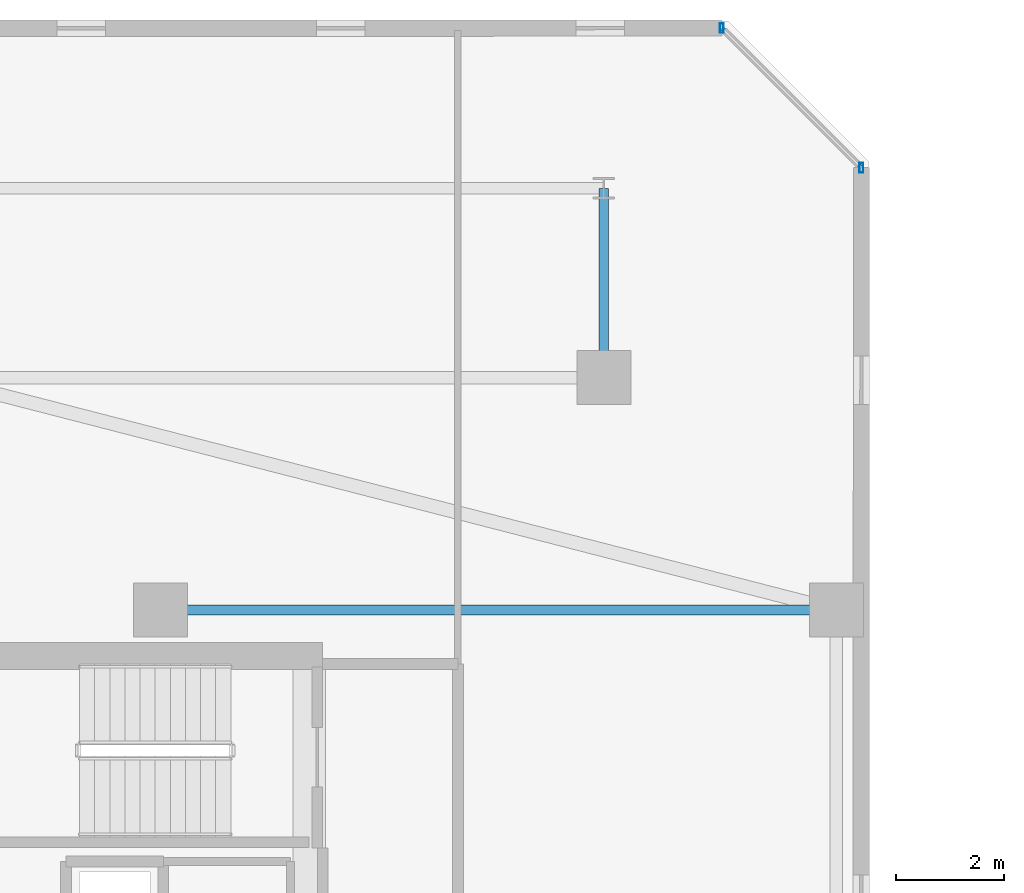
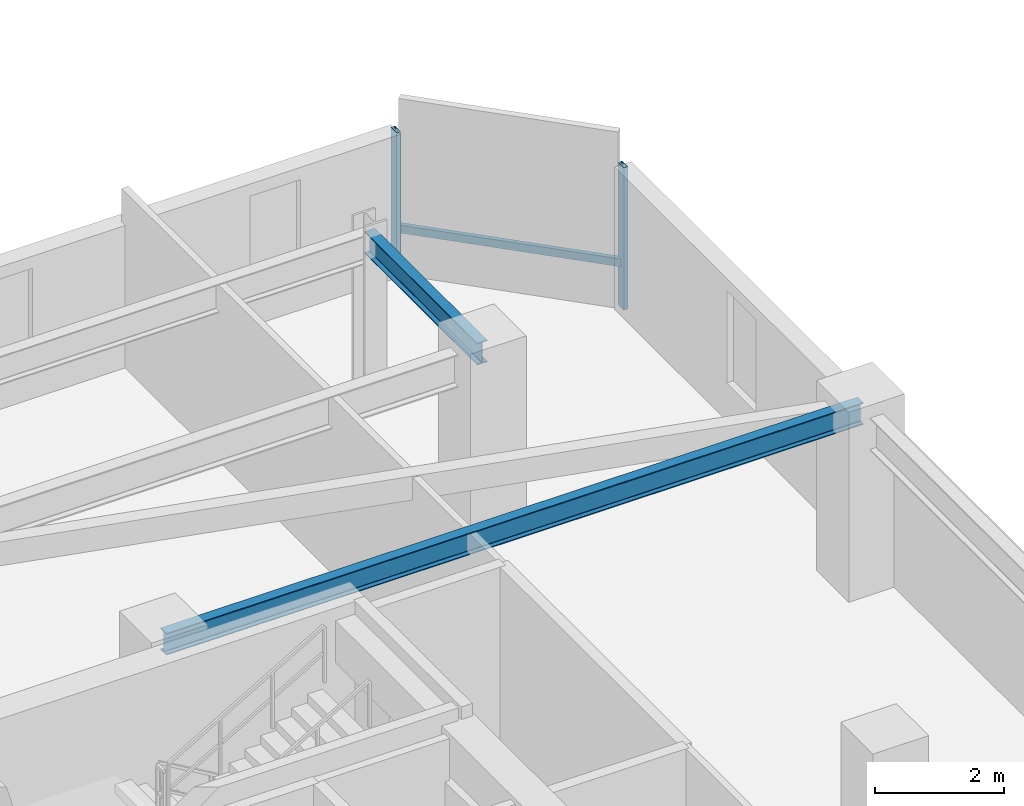
# One storey, part 10 of 33: 3 members, 2 beams, 1 element without a shape of its own.
"""IFC4 building model written with IfcOpenShell, lengths in metres."""

import ifcopenshell
import ifcopenshell.guid

model = None  # the IFC model being written
_history = None  # IfcOwnerHistory: only IFC2X3 demands one
_inside = {}  # id of a spatial element -> (the spatial element, [elements in it])
_under = {}  # id of a project, library or spatial element -> (it, [spatial elements below it])
_declared = {}  # id of a project -> (the project, [libraries it declares])
_typed = {}  # id of a type object -> (the type object, [elements of that type])
_made_of = {}  # id of a material, layer set ... -> (it, [elements and type objects made of it])


def new_model(schema):
    """Start an empty IFC model of exactly this schema.

    Asked for "IFC4X3", IfcOpenShell would pick the latest addendum, in which some entities
    have other attributes; the version numbers below select the first issue.
    IFC2X3 requires an IfcOwnerHistory on every rooted entity: one is made here for all.
    """
    global model, _history
    if schema == "IFC4X3":
        model = ifcopenshell.file(schema_version=(4, 3, 0, 0))
    else:
        model = ifcopenshell.file(schema=schema)
    _inside.clear()
    _under.clear()
    _declared.clear()
    _typed.clear()
    _made_of.clear()
    _history = None
    if model.schema == "IFC2X3":
        org = make("IfcOrganization", Name="unknown")
        user = make(
            "IfcPersonAndOrganization",
            ThePerson=make("IfcPerson", FamilyName="unknown"),
            TheOrganization=org,
        )
        app = make(
            "IfcApplication",
            ApplicationDeveloper=org,
            Version="unknown",
            ApplicationFullName="unknown",
            ApplicationIdentifier="unknown",
        )
        _history = make(
            "IfcOwnerHistory",
            OwningUser=user,
            OwningApplication=app,
            ChangeAction="ADDED",
            CreationDate=0,
        )
    return model


def make(cls, **values):
    """One entity of the class cls with the attributes given. An attribute that is None is left unset."""
    return model.create_entity(
        cls, **{name: value for name, value in values.items() if value is not None}
    )


def rooted(cls, **values):
    """An entity with a GlobalId (a new one), such as an element, a storey or a relation."""
    return make(cls, GlobalId=ifcopenshell.guid.new(), OwnerHistory=_history, **values)


def si_unit(unit_type, name, prefix=None):
    """IfcSIUnit, for example si_unit("LENGTHUNIT", "METRE", prefix="MILLI")."""
    return make("IfcSIUnit", UnitType=unit_type, Prefix=prefix, Name=name)


def assignment(units):
    """IfcUnitAssignment: the units of a project."""
    return None if units is None else make("IfcUnitAssignment", Units=units)


def point(xyz):
    """IfcCartesianPoint."""
    return None if xyz is None else make("IfcCartesianPoint", Coordinates=xyz)


def direction(xyz):
    """IfcDirection."""
    return None if xyz is None else make("IfcDirection", DirectionRatios=xyz)


def frame(location, z_axis=None, x_axis=None):
    """IfcAxis2Placement3D, a coordinate frame: its origin and axes. An axis left out is left unset."""
    return make(
        "IfcAxis2Placement3D",
        Location=point(location),
        Axis=direction(z_axis),
        RefDirection=direction(x_axis),
    )


def frame_2d(location, x_axis=None):
    """IfcAxis2Placement2D, a coordinate frame in the plane: its origin and x axis."""
    return make(
        "IfcAxis2Placement2D", Location=point(location), RefDirection=direction(x_axis)
    )


def origin():
    """The frame at (0, 0, 0) with its axes left unset."""
    return frame((0.0, 0.0, 0.0))


def origin_2d():
    """The frame at (0, 0) in the plane with its x axis left unset."""
    return frame_2d((0.0, 0.0))


def place(relative_to, where):
    """IfcLocalPlacement: puts the frame where relative to a parent placement (None: the world)."""
    return make(
        "IfcLocalPlacement", PlacementRelTo=relative_to, RelativePlacement=where
    )


def context(
    kind, dimensions, precision=None, world=None, true_north=None, identifier=None
):
    """IfcGeometricRepresentationContext, for example the 3D "Model" context."""
    return make(
        "IfcGeometricRepresentationContext",
        ContextIdentifier=identifier,
        ContextType=kind,
        CoordinateSpaceDimension=dimensions,
        Precision=precision,
        WorldCoordinateSystem=world,
        TrueNorth=true_north,
    )


def subcontext(parent, identifier, kind, view, scale=None):
    """IfcGeometricRepresentationSubContext, for example "Body" below "Model"."""
    return make(
        "IfcGeometricRepresentationSubContext",
        ContextIdentifier=identifier,
        ContextType=kind,
        ParentContext=parent,
        TargetScale=scale,
        TargetView=view,
    )


def project(units=None, contexts=None):
    """IfcProject with its units and contexts."""
    return rooted(
        "IfcProject",
        Name="project",
        RepresentationContexts=contexts,
        UnitsInContext=assignment(units),
    )


def spatial(cls, under=None, at=None, **own):
    """A site, building, storey or space (cls), placed at a placement, below another one or the project."""
    s = rooted(cls, ObjectPlacement=at, **own)
    if under is not None:
        _under.setdefault(under.id(), (under, []))[1].append(s)
    return s


def profile(cls, at=None, kind="AREA", **sizes):
    """A parametric profile (cls). Its sizes go by their IFC names, for example OverallWidth=200.0."""
    return make(cls, ProfileType=kind, Position=at, **sizes)


def hollow_rectangle(**sizes):
    """IfcRectangleHollowProfileDef."""
    return profile("IfcRectangleHollowProfileDef", **sizes)


def i_section(**sizes):
    """IfcIShapeProfileDef."""
    return profile("IfcIShapeProfileDef", **sizes)


def extrude(swept, where, along, depth):
    """IfcExtrudedAreaSolid: the profile swept, set in the frame where, extruded along a direction by depth."""
    return make(
        "IfcExtrudedAreaSolid",
        SweptArea=swept,
        Position=where,
        ExtrudedDirection=direction(along),
        Depth=depth,
    )


def shape(context_of_items, identifier, shape_type, items):
    """IfcShapeRepresentation: the items that make up one representation, for example the "Body"."""
    return make(
        "IfcShapeRepresentation",
        ContextOfItems=context_of_items,
        RepresentationIdentifier=identifier,
        RepresentationType=shape_type,
        Items=items,
    )


def material(Name=None, Category=None):
    """IfcMaterial."""
    return make("IfcMaterial", Name=Name, Category=Category)


def material_profile(
    of_material, cross_section, Name=None, Category=None, Priority=None
):
    """IfcMaterialProfile: a cross section and its material."""
    return make(
        "IfcMaterialProfile",
        Name=Name,
        Material=of_material,
        Profile=cross_section,
        Priority=Priority,
        Category=Category,
    )


def profile_set(profiles, Name=None, composite=None):
    """IfcMaterialProfileSet."""
    return make(
        "IfcMaterialProfileSet",
        Name=Name,
        MaterialProfiles=profiles,
        CompositeProfile=composite,
    )


def made_of(thing, what):
    """Note that an element or type object is made of a material, layer set ...; save() writes the relation."""
    if what is not None:
        _made_of.setdefault(what.id(), (what, []))[1].append(thing)
    return thing


def type_object(cls, material=None, **own):
    """A type object (cls), such as IfcWallType, which elements share."""
    return made_of(rooted(cls, **own), material)


def element(
    cls,
    number,
    at=None,
    inside=None,
    cuts=None,
    type_object=None,
    material=None,
    context=None,
    identifier="Body",
    shape_type=None,
    held_by="IfcProductDefinitionShape",
    body=None,
    shapes=None,
    **own,
):
    """One element of the class cls, such as IfcWall. Its Tag is "e" and its number.

    at: its placement. inside: the storey or other place that contains it. cuts: it is an
    opening in that element (IfcRelVoidsElement). A single representation is given by context,
    identifier, shape_type and body (its items); several are given by shapes. held_by: the class
    of the entity that holds the representations. save() writes the other relations.
    """
    e = rooted(cls, Tag="e%d" % number, ObjectPlacement=at, **own)
    if body is not None:
        shapes = [shape(context, identifier, shape_type, body)]
    if shapes is not None:
        e.Representation = make(held_by, Representations=shapes)
    if inside is not None:
        _inside.setdefault(inside.id(), (inside, []))[1].append(e)
    if cuts is not None:
        rooted(
            "IfcRelVoidsElement", RelatingBuildingElement=cuts, RelatedOpeningElement=e
        )
    if type_object is not None:
        _typed.setdefault(type_object.id(), (type_object, []))[1].append(e)
    return made_of(e, material)


def aggregate(whole, parts):
    """IfcRelAggregates: a whole, such as a stair, and the parts it consists of."""
    return rooted("IfcRelAggregates", RelatingObject=whole, RelatedObjects=parts)


def save(model, path):
    """Write the relations noted so far, then the file.

    IfcRelAggregates (storeys below a building ...), IfcRelContainedInSpatialStructure (elements
    in a storey), IfcRelDefinesByType, IfcRelAssociatesMaterial and IfcRelDeclares: one each for
    every whole, place, type object, material and project.
    """
    for whole, parts in _under.values():
        aggregate(whole, parts)
    for where, things in _inside.values():
        rooted(
            "IfcRelContainedInSpatialStructure",
            RelatedElements=things,
            RelatingStructure=where,
        )
    for kind, things in _typed.values():
        rooted("IfcRelDefinesByType", RelatedObjects=things, RelatingType=kind)
    for what, things in _made_of.values():
        rooted("IfcRelAssociatesMaterial", RelatedObjects=things, RelatingMaterial=what)
    for by, libraries in _declared.values():
        rooted("IfcRelDeclares", RelatingContext=by, RelatedDefinitions=libraries)
    model.write(path)


model = new_model("IFC4")

# Units and contexts
model_context = context("Model", 3, precision=1e-05, world=origin(), true_north=direction((0.0, 1.0)))
body_context = subcontext(model_context, "Body", "Model", "MODEL_VIEW")
ifc_project = project(units=[si_unit("LENGTHUNIT", "METRE"), si_unit("AREAUNIT", "SQUARE_METRE"), si_unit("VOLUMEUNIT", "CUBIC_METRE"), si_unit("PLANEANGLEUNIT", "RADIAN"), si_unit("MASSUNIT", "GRAM", prefix="KILO")], contexts=[model_context])

# Site, building, storey
site_placement = place(None, origin())
site = spatial("IfcSite", under=ifc_project, at=site_placement, CompositionType="ELEMENT")
building_placement = place(site_placement, origin())
building = spatial("IfcBuilding", under=site, at=building_placement, Name="Thornwick Lancets Civic Towers", CompositionType="ELEMENT")
storey_placement = place(building_placement, frame((0.0, 0.0, 203.699951171875)))
storey = spatial("IfcBuildingStorey", under=building, at=storey_placement, Name="L54", CompositionType="ELEMENT", Elevation=203.699951171875)

# Beams
ifc_material_1 = material(Name="Steel S355JR", Category="steel")
ifc_material_profile_1 = material_profile(ifc_material_1, i_section(OverallWidth=0.179443359375, OverallDepth=0.412841796875, WebThickness=0.009521484375, FlangeThickness=0.01611328125, FilletRadius=0.01025390625, at=origin_2d()), Name="UKB 406x178x74")
ifc_profile_set_1 = profile_set([ifc_material_profile_1], Name="Steel S355JR")
beam_type = type_object("IfcBeamType", Name="BM_JOIST_406_74", PredefinedType="JOIST", material=ifc_profile_set_1)
beam_1_placement = place(storey_placement, frame((30.300048828125, 40.0, 3.153564453125), z_axis=(1.0, 0.0, 0.0), x_axis=(0.0, 1.0, 0.0)))
element("IfcBeam", 1, at=beam_1_placement, inside=storey, type_object=beam_type, Name="BM-RADIN-L54-A06", PredefinedType="JOIST", context=body_context, shape_type="SweptSolid", body=[
    extrude(i_section(OverallWidth=0.179443359375, OverallDepth=0.412841796875, WebThickness=0.009521484375, FlangeThickness=0.01611328125, FilletRadius=0.01025390625, at=origin_2d()), origin(), (0.0, 0.0, 1.0), 12.5),
])
beam_2_placement = place(storey_placement, frame((38.5, 44.300048828125, 3.153564453125), z_axis=(0.0, 1.0, 0.0), x_axis=(-1.0, 0.0, 0.0)))
element("IfcBeam", 2, at=beam_2_placement, inside=storey, type_object=beam_type, Name="BM-RAD-L54-A09", PredefinedType="JOIST", context=body_context, shape_type="SweptSolid", body=[
    extrude(i_section(OverallWidth=0.179443359375, OverallDepth=0.412841796875, WebThickness=0.009521484375, FlangeThickness=0.01611328125, FilletRadius=0.01025390625, at=origin_2d()), origin(), (0.0, 0.0, 1.0), 3.5),
])

# Curtain wall, members
ifc_material_2 = material(Name="High-zone chamfered-corner unitised glass curtain wall", Category="glass")
curtain_wall_type = type_object("IfcCurtainWallType", Name="CW_SYS_05", PredefinedType="NOTDEFINED", material=ifc_material_2)
curtain_wall_placement = place(storey_placement, origin())
curtain_wall = element("IfcCurtainWall", 3, at=curtain_wall_placement, inside=storey, type_object=curtain_wall_type, Name="L54 Curtain Wall CW-L54-A-E3", PredefinedType="NOTDEFINED")
ifc_material_3 = material(Name="Thermally broken bronze aluminium S355", Category="steel")
ifc_material_profile_2 = material_profile(ifc_material_3, hollow_rectangle(XDim=0.074951171875, YDim=0.179931640625, WallThickness=0.006103515625, at=origin_2d()), Name="RHS 180x75x6")
ifc_profile_set_2 = profile_set([ifc_material_profile_2], Name="Thermally broken bronze aluminium S355")
member_type_1 = type_object("IfcMemberType", Name="CW_MUL_180", PredefinedType="MULLION", material=ifc_profile_set_2)
member_1_placement = place(storey_placement, frame((43.2646484375, 48.181396484375, 0.0), z_axis=(0.0, 0.0, 1.0), x_axis=(1.0, 0.0, 0.0)))
member_1 = element("IfcMember", 4, at=member_1_placement, type_object=member_type_1, Name="CW-L54-A-E3 Mullion 0", PredefinedType="MULLION", context=body_context, shape_type="SweptSolid", body=[
    extrude(hollow_rectangle(XDim=0.074951171875, YDim=0.179931640625, WallThickness=0.006103515625, at=origin_2d()), origin(), (0.0, 0.0, 1.0), 2.699951171875),
])
member_2_placement = place(storey_placement, frame((40.681396484375, 50.7646484375, 0.0), z_axis=(0.0, 0.0, 1.0), x_axis=(1.0, 0.0, 0.0)))
member_2 = element("IfcMember", 5, at=member_2_placement, type_object=member_type_1, Name="CW-L54-A-E3 Mullion 1", PredefinedType="MULLION", context=body_context, shape_type="SweptSolid", body=[
    extrude(hollow_rectangle(XDim=0.074951171875, YDim=0.179931640625, WallThickness=0.006103515625, at=origin_2d()), origin(), (0.0, 0.0, 1.0), 2.699951171875),
])
ifc_material_profile_3 = material_profile(ifc_material_3, hollow_rectangle(XDim=0.074951171875, YDim=0.14990234375, WallThickness=0.0048828125, at=origin_2d()), Name="RHS 150x75x5")
ifc_profile_set_3 = profile_set([ifc_material_profile_3], Name="Thermally broken bronze aluminium S355")
member_type_2 = type_object("IfcMemberType", Name="CW_TRN_150", PredefinedType="USERDEFINED", material=ifc_profile_set_3)
member_3_placement = place(storey_placement, frame((43.25048828125, 48.195556640625, 0.85009765625), z_axis=(-0.707106781187, 0.707106781187, 0.0), x_axis=(-0.707106781187, -0.707106781187, 0.0)))
member_3 = element("IfcMember", 6, at=member_3_placement, type_object=member_type_2, Name="CW-L54-A-E3 Transom 0", ObjectType="TRANSOM", PredefinedType="USERDEFINED", context=body_context, shape_type="SweptSolid", body=[
    extrude(hollow_rectangle(XDim=0.074951171875, YDim=0.14990234375, WallThickness=0.0048828125, at=origin_2d()), origin(), (0.0, 0.0, 1.0), 3.61328125),
])
aggregate(curtain_wall, [member_1, member_2, member_3])

save(model, "model.ifc")
